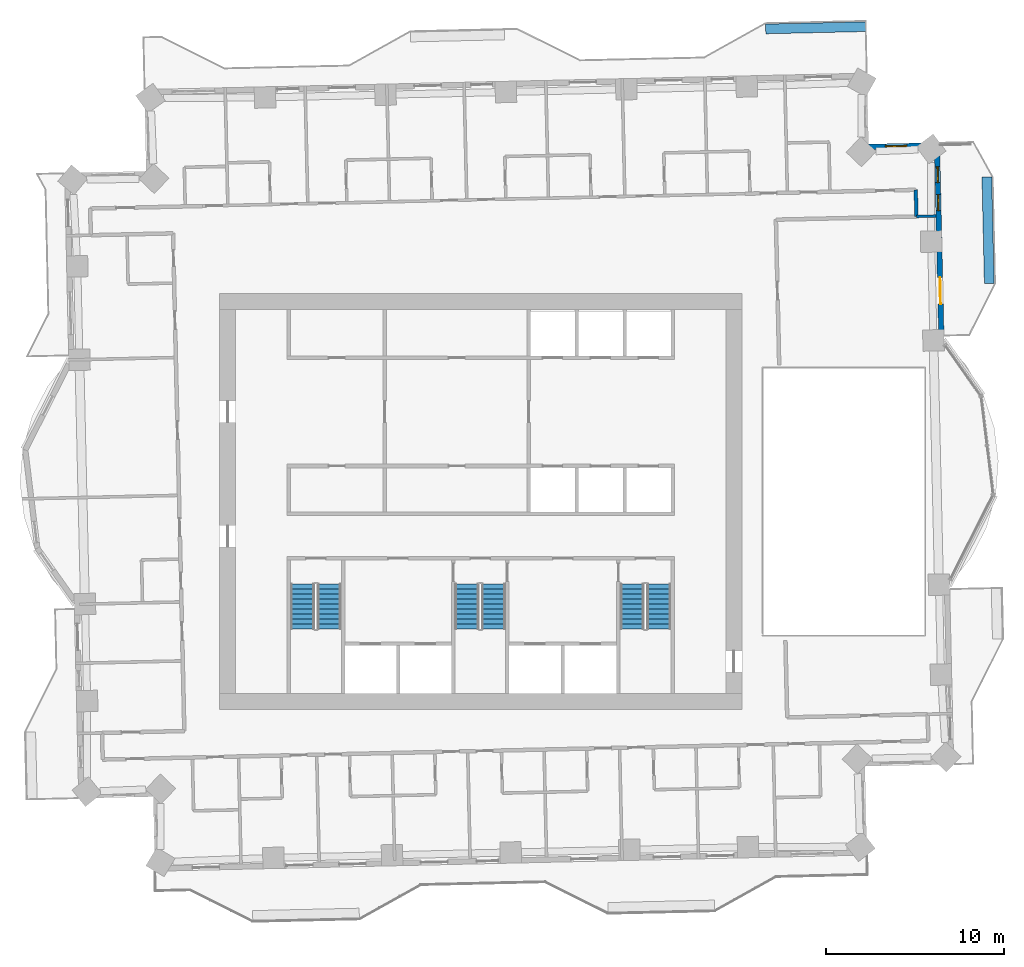
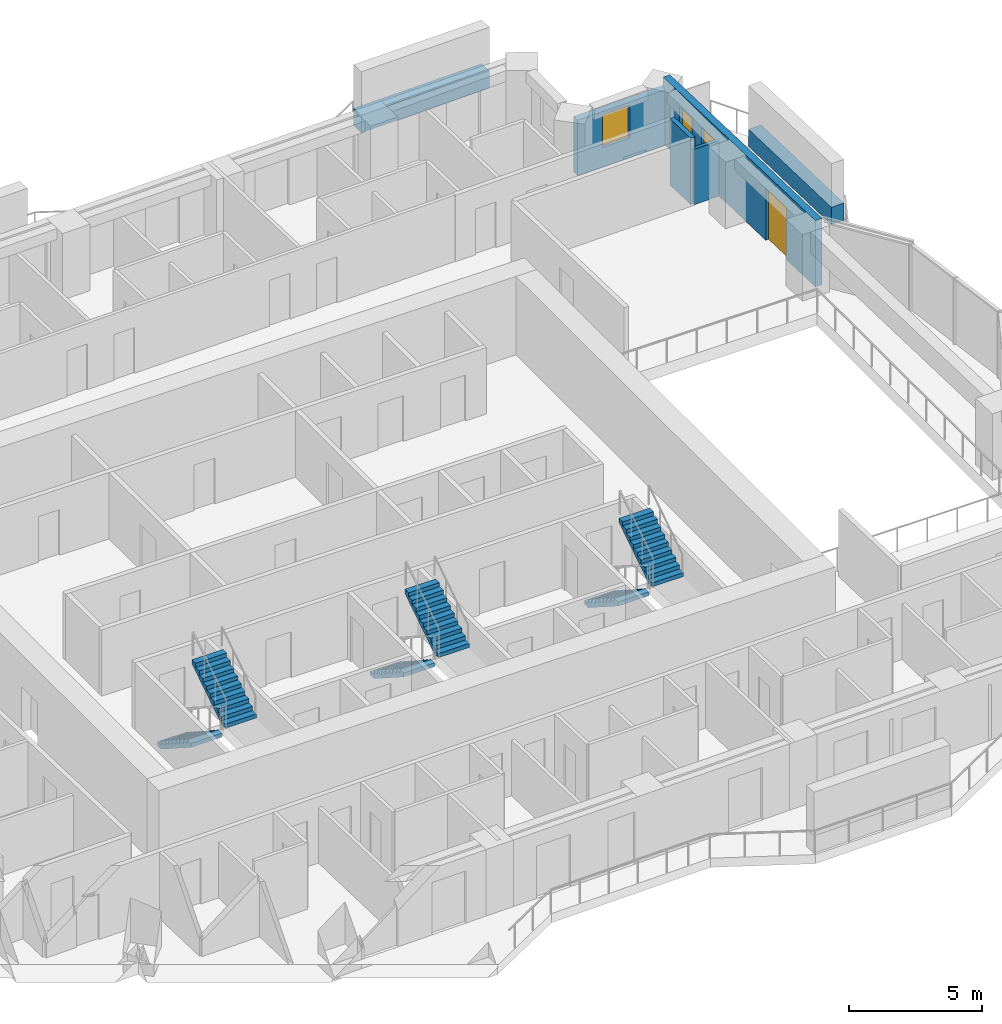
# One storey, part 12 of 16: 6 stair flights, 6 walls, 3 windows, 1 door, 4 openings, 3 elements without a shape of their own.
"""IFC4 building model written with IfcOpenShell, lengths in metres."""

from ifc_helpers import new_model, si_unit, direction, frame, frame_2d, origin, place, context, subcontext, project, spatial, polyline, rectangle, outline, extrude, material, layer, layer_set, type_object, element, fill, aggregate, save


model = new_model("IFC4")

# Units and contexts
model_context = context("Model", 3, precision=1e-05, world=origin(), true_north=direction((0.0, 1.0)))
body_context = subcontext(model_context, "Body", "Model", "MODEL_VIEW")
ifc_project = project(units=[si_unit("LENGTHUNIT", "METRE"), si_unit("AREAUNIT", "SQUARE_METRE"), si_unit("VOLUMEUNIT", "CUBIC_METRE"), si_unit("PLANEANGLEUNIT", "RADIAN"), si_unit("MASSUNIT", "GRAM", prefix="KILO")], contexts=[model_context])

# Site, building, storey
site_placement = place(None, origin())
site = spatial("IfcSite", under=ifc_project, at=site_placement, CompositionType="ELEMENT")
building_placement = place(site_placement, origin())
building = spatial("IfcBuilding", under=site, at=building_placement, Name="Mangrove Gate Tower", CompositionType="ELEMENT")
storey_placement = place(building_placement, frame((0.0, 0.0, 178.89990234375)))
storey = spatial("IfcBuildingStorey", under=building, at=storey_placement, Name="L45", CompositionType="ELEMENT", Elevation=178.89990234375)

# Wall
ifc_material_1 = material(Name="Gypsum board on steel stud, EI 60", Category="steel")
ifc_layer_1 = layer(ifc_material_1, 0.199951171875)
ifc_layer_set_1 = layer_set([ifc_layer_1], Name="Corridor wall EI 60")
wall_type_1 = type_object("IfcWallType", Name="Corridor wall EI 60", PredefinedType="PARTITIONING", material=ifc_layer_set_1)
wall_1_placement = place(storey_placement, frame((24.51904296875, 16.048095703125, 0.0), z_axis=(0.0, 0.0, 1.0), x_axis=(-0.022632637625, 0.99974384905, 0.0)))
element("IfcWall", 1, at=wall_1_placement, inside=storey, type_object=wall_type_1, Name="WALL-L45-047", PredefinedType="PARTITIONING", context=body_context, shape_type="SweptSolid", body=[
    extrude(rectangle(XDim=1.49951171875, YDim=0.199951171875, at=frame_2d((0.749755859375, 0.0))), origin(), (0.0, 0.0, 1.0), 3.050048828125),
])

# Wall, openings, door, windows
ifc_material_2 = material(Name="Limestone", Category="masonry")
ifc_layer_2 = layer(ifc_material_2, 0.0400390625, Name="Limestone cladding")
ifc_material_3 = material(Name="Ventilated air gap")
ifc_layer_3 = layer(ifc_material_3, 0.0400390625, Name="Ventilated cavity")
ifc_material_4 = material(Name="Mineral wool insulation")
ifc_layer_4 = layer(ifc_material_4, 0.06005859375, Name="Insulation")
ifc_material_5 = material(Name="Breather membrane")
ifc_layer_5 = layer(ifc_material_5, 0.001953125, Name="Breather membrane")
ifc_material_6 = material(Name="Concrete C20/25 blockwork", Category="masonry")
ifc_layer_6 = layer(ifc_material_6, 0.14990234375, Name="Blockwork backing wall")
ifc_material_7 = material(Name="Gypsum plaster")
ifc_layer_7 = layer(ifc_material_7, 0.008056640625, Name="Internal plaster")
ifc_layer_set_2 = layer_set([ifc_layer_2, ifc_layer_3, ifc_layer_4, ifc_layer_5, ifc_layer_6, ifc_layer_7], Name="External wall 300 limestone cladding")
wall_type_2 = type_object("IfcWallType", Name="External wall 300 limestone cladding", PredefinedType="SOLIDWALL", material=ifc_layer_set_2)
wall_2_placement = place(storey_placement, frame((25.928955078125, 9.02490234375, 0.0), z_axis=(0.0, 0.0, 1.0), x_axis=(-0.022667601583, 0.999743056909, 0.0)))
wall_2 = element("IfcWall", 2, at=wall_2_placement, inside=storey, type_object=wall_type_2, Name="WALL-L45-E2", PredefinedType="SOLIDWALL", context=body_context, shape_type="SweptSolid", body=[
    extrude(rectangle(XDim=11.029052734375, YDim=0.300048828125, at=frame_2d((5.5146484375, 0.0))), origin(), (0.0, 0.0, 1.0), 3.050048828125),
])
opening_1_placement = place(wall_2_placement, frame((2.0859375, 0.0, 0.0)))
opening_1 = element("IfcOpeningElement", 3, at=opening_1_placement, cuts=wall_2, Name="Opening BD1", PredefinedType="OPENING", context=body_context, shape_type="SweptSolid", body=[
    extrude(rectangle(XDim=1.5, YDim=2.39990234375, at=frame_2d((0.75, 1.199951171875))), frame((0.0, 0.159912109375, 0.0), z_axis=(0.0, -1.0, 0.0), x_axis=(1.0, 0.0, 0.0)), (0.0, 0.0, 1.0), 0.320068359375),
])
opening_2_placement = place(wall_2_placement, frame((7.35302734375, 0.0, 0.89990234375)))
opening_2 = element("IfcOpeningElement", 4, at=opening_2_placement, cuts=wall_2, Name="Opening W5", PredefinedType="OPENING", context=body_context, shape_type="SweptSolid", body=[
    extrude(rectangle(XDim=0.89990234375, YDim=1.5, at=frame_2d((0.449951171875, 0.75))), frame((0.0, 0.159912109375, 0.0), z_axis=(0.0, -1.0, 0.0), x_axis=(1.0, 0.0, 0.0)), (0.0, 0.0, 1.0), 0.320068359375),
])
opening_3_placement = place(wall_2_placement, frame((8.922119140625, 0.0, 0.89990234375)))
opening_3 = element("IfcOpeningElement", 5, at=opening_3_placement, cuts=wall_2, Name="Opening W5", PredefinedType="OPENING", context=body_context, shape_type="SweptSolid", body=[
    extrude(rectangle(XDim=0.89990234375, YDim=1.5, at=frame_2d((0.449951171875, 0.75))), frame((0.0, 0.159912109375, 0.0), z_axis=(0.0, -1.0, 0.0), x_axis=(1.0, 0.0, 0.0)), (0.0, 0.0, 1.0), 0.320068359375),
])
ifc_material_8 = material(Name="Aluminium frame with laminated clear glass", Category="aluminium")
door_type = type_object("IfcDoorType", Name="Balcony sliding door 1500x2400", OperationType="SLIDING_TO_LEFT", PredefinedType="DOOR", material=ifc_material_8)
door_placement = place(opening_1_placement, origin())
door = element("IfcDoor", 6, at=door_placement, inside=storey, type_object=door_type, Name="DOOR-L45-E2-1", OperationType="SLIDING_TO_LEFT", OverallHeight=2.39990234375, OverallWidth=1.5, PredefinedType="DOOR", context=body_context, shape_type="SweptSolid", body=[
    extrude(rectangle(XDim=1.5, YDim=2.39990234375, at=frame_2d((0.75, 1.199951171875))), frame((0.0, 0.02490234375, 0.0), z_axis=(0.0, -1.0, 0.0), x_axis=(1.0, 0.0, 0.0)), (0.0, 0.0, 1.0), 0.050048828125),
])
fill(opening_1, door)
ifc_material_9 = material(Name="Aluminium frame with double-glazed low-e glass", Category="aluminium")
window_type_1 = type_object("IfcWindowType", Name="Narrow window 900x1500", PartitioningType="SINGLE_PANEL", PredefinedType="WINDOW", material=ifc_material_9)
window_1_placement = place(opening_2_placement, origin())
window_1 = element("IfcWindow", 7, at=window_1_placement, inside=storey, type_object=window_type_1, Name="WIN-L45-E2-2", OverallHeight=1.5, OverallWidth=0.89990234375, PartitioningType="SINGLE_PANEL", PredefinedType="WINDOW", context=body_context, shape_type="SweptSolid", body=[
    extrude(rectangle(XDim=0.89990234375, YDim=1.5, at=frame_2d((0.449951171875, 0.75))), frame((0.0, 0.030029296875, 0.0), z_axis=(0.0, -1.0, 0.0), x_axis=(1.0, 0.0, 0.0)), (0.0, 0.0, 1.0), 0.06005859375),
])
fill(opening_2, window_1)
window_2_placement = place(opening_3_placement, origin())
window_2 = element("IfcWindow", 8, at=window_2_placement, inside=storey, type_object=window_type_1, Name="WIN-L45-E2-3", OverallHeight=1.5, OverallWidth=0.89990234375, PartitioningType="SINGLE_PANEL", PredefinedType="WINDOW", context=body_context, shape_type="SweptSolid", body=[
    extrude(rectangle(XDim=0.89990234375, YDim=1.5, at=frame_2d((0.449951171875, 0.75))), frame((0.0, 0.030029296875, 0.0), z_axis=(0.0, -1.0, 0.0), x_axis=(1.0, 0.0, 0.0)), (0.0, 0.0, 1.0), 0.06005859375),
])
fill(opening_3, window_2)

# Wall, opening, window
wall_3_placement = place(storey_placement, frame((25.678955078125, 20.051025390625, 0.0), z_axis=(0.0, 0.0, 1.0), x_axis=(-0.999740826251, -0.022765770952, 0.0)))
wall_3 = element("IfcWall", 9, at=wall_3_placement, inside=storey, type_object=wall_type_2, Name="WALL-L45-N3", PredefinedType="SOLIDWALL", context=body_context, shape_type="SweptSolid", body=[
    extrude(rectangle(XDim=4.0, YDim=0.300048828125, at=frame_2d((2.0, 0.0))), origin(), (0.0, 0.0, 1.0), 2.550048828125),
])
opening_4_placement = place(wall_3_placement, frame((1.699951171875, 0.0, 0.89990234375)))
opening_4 = element("IfcOpeningElement", 10, at=opening_4_placement, cuts=wall_3, Name="Opening W1", PredefinedType="OPENING", context=body_context, shape_type="SweptSolid", body=[
    extrude(rectangle(XDim=1.199951171875, YDim=1.5, at=frame_2d((0.60009765625, 0.75))), frame((0.0, 0.159912109375, 0.0), z_axis=(0.0, -1.0, 0.0), x_axis=(1.0, 0.0, 0.0)), (0.0, 0.0, 1.0), 0.320068359375),
])
ifc_material_10 = material(Name="Aluminium frame with double-glazed low-e glass", Category="aluminium")
window_type_2 = type_object("IfcWindowType", Name="Side lite 1200x1500", PartitioningType="SINGLE_PANEL", PredefinedType="WINDOW", material=ifc_material_10)
window_3_placement = place(opening_4_placement, origin())
window_3 = element("IfcWindow", 11, at=window_3_placement, inside=storey, type_object=window_type_2, Name="WIN-L45-N3-1", OverallHeight=1.5, OverallWidth=1.199951171875, PartitioningType="SINGLE_PANEL", PredefinedType="WINDOW", context=body_context, shape_type="SweptSolid", body=[
    extrude(rectangle(XDim=1.199951171875, YDim=1.5, at=frame_2d((0.60009765625, 0.75))), frame((0.0, 0.030029296875, 0.0), z_axis=(0.0, -1.0, 0.0), x_axis=(1.0, 0.0, 0.0)), (0.0, 0.0, 1.0), 0.06005859375),
])
fill(opening_4, window_3)

# Walls
ifc_material_11 = material(Name="Gypsum board on steel stud, EI 60", Category="steel")
ifc_layer_8 = layer(ifc_material_11, 0.14990234375)
ifc_layer_set_3 = layer_set([ifc_layer_8], Name="Party wall 150 EI 60")
wall_type_3 = type_object("IfcWallType", Name="Party wall 150 EI 60", PredefinedType="PARTITIONING", material=ifc_layer_set_3)
wall_4_placement = place(storey_placement, frame((24.51904296875, 16.0439453125, 0.0), z_axis=(0.0, 0.0, 1.0), x_axis=(0.999738732953, 0.022857511541, 0.0)))
element("IfcWall", 12, at=wall_4_placement, inside=storey, type_object=wall_type_3, Name="WALL-L45-045", PredefinedType="PARTITIONING", context=body_context, shape_type="SweptSolid", body=[
    extrude(rectangle(XDim=1.10009765625, YDim=0.14990234375, at=frame_2d((0.550048828125, 0.0))), origin(), (0.0, 0.0, 1.0), 2.550048828125),
])
ifc_material_12 = material(Name="Concrete C32/40", Category="concrete")
ifc_layer_9 = layer(ifc_material_12, 0.199951171875, Name="Planter trough wall")
ifc_material_13 = material(Name="Bituminous waterproofing membrane")
ifc_layer_10 = layer(ifc_material_13, 0.0048828125, Name="Waterproofing")
ifc_material_14 = material(Name="Drainage board and gravel")
ifc_layer_11 = layer(ifc_material_14, 0.044921875, Name="Drainage layer")
ifc_material_15 = material(Name="Planting soil")
ifc_layer_12 = layer(ifc_material_15, 0.300048828125, Name="Growing medium")
ifc_layer_set_4 = layer_set([ifc_layer_9, ifc_layer_10, ifc_layer_11, ifc_layer_12], Name="Planter wall 550 C32/40")
wall_type_4 = type_object("IfcWallType", Name="Planter wall 550 C32/40", PredefinedType="USERDEFINED", material=ifc_layer_set_4)
wall_5_placement = place(storey_placement, frame((28.62109375, 12.26611328125, 0.0), z_axis=(0.0, 0.0, 1.0), x_axis=(-0.022666865795, 0.999743073592, 0.0)))
element("IfcWall", 13, at=wall_5_placement, inside=storey, type_object=wall_type_4, Name="PLANTER L45 E1.1", ObjectType="PLANTER", PredefinedType="USERDEFINED", context=body_context, shape_type="SweptSolid", body=[
    extrude(rectangle(XDim=5.999267578125, YDim=0.550048828125, at=frame_2d((2.99951171875, 0.0))), origin(), (0.0, 0.0, 1.0), 0.800048828125),
])
wall_6_placement = place(storey_placement, frame((16.037109375, 26.59912109375, 0.0), z_axis=(0.0, 0.0, 1.0), x_axis=(0.999742750925, 0.022681092847, 0.0)))
element("IfcWall", 14, at=wall_6_placement, inside=storey, type_object=wall_type_4, Name="PLANTER L45 N0.1", ObjectType="PLANTER", PredefinedType="USERDEFINED", context=body_context, shape_type="SweptSolid", body=[
    extrude(rectangle(XDim=5.640380859375, YDim=0.550048828125, at=frame_2d((2.8203125, 0.0))), origin(), (0.0, 0.0, 1.0), 0.800048828125),
])

# Stair, stair flights
ifc_material_16 = material(Name="Concrete C40/50", Category="concrete")
stair_type = type_object("IfcStairType", Name="Core stair 1350", PredefinedType="HALF_TURN_STAIR", material=ifc_material_16)
stair_1_placement = place(storey_placement, origin())
stair_1 = element("IfcStair", 15, at=stair_1_placement, inside=storey, type_object=stair_type, Name="L45 Stair 1", PredefinedType="HALF_TURN_STAIR")
ifc_material_17 = material(Name="Concrete C40/50", Category="concrete")
stair_flight_type = type_object("IfcStairFlightType", Name="Core stair flight 1350", PredefinedType="STRAIGHT", material=ifc_material_17)
stair_flight_1_placement = place(storey_placement, frame((-10.02490234375, -4.64990234375, 0.0), z_axis=(0.0, 0.0, 1.0), x_axis=(0.0, -1.0, 0.0)))
stair_flight_1 = element("IfcStairFlight", 16, at=stair_flight_1_placement, type_object=stair_flight_type, Name="ST1 flight 1", NumberOfRisers=10, NumberOfTreads=9, PredefinedType="STRAIGHT", RiserHeight=0.18, TreadLength=0.28, context=body_context, shape_type="SweptSolid", body=[
    extrude(outline(polyline([(0.0, 0.0), (0.0, 0.179931640625), (0.280029296875, 0.179931640625), (0.280029296875, 0.360107421875), (0.56005859375, 0.360107421875), (0.56005859375, 0.5400390625), (0.840087890625, 0.5400390625), (0.840087890625, 0.719970703125), (1.1201171875, 0.719970703125), (1.1201171875, 0.89990234375), (1.39990234375, 0.89990234375), (1.39990234375, 1.080078125), (1.679931640625, 1.080078125), (1.679931640625, 1.260009765625), (1.9599609375, 1.260009765625), (1.9599609375, 1.43994140625), (2.239990234375, 1.43994140625), (2.239990234375, 1.6201171875), (2.52001953125, 1.6201171875), (2.52001953125, 1.800048828125), (2.52001953125, 1.44189453125), (0.277099609375, 0.0), (0.0, 0.0)])), frame((0.0, 0.675048828125, 0.0), z_axis=(0.0, -1.0, 0.0), x_axis=(1.0, 0.0, 0.0)), (0.0, 0.0, 1.0), 1.35009765625),
])
stair_flight_2_placement = place(storey_placement, frame((-8.52490234375, -7.169921875, 1.800048828125), z_axis=(0.0, 0.0, 1.0), x_axis=(0.0, 1.0, 0.0)))
stair_flight_2 = element("IfcStairFlight", 17, at=stair_flight_2_placement, type_object=stair_flight_type, Name="ST1 flight 2", NumberOfRisers=10, NumberOfTreads=9, PredefinedType="STRAIGHT", RiserHeight=0.18, TreadLength=0.28, context=body_context, shape_type="SweptSolid", body=[
    extrude(outline(polyline([(0.0, 0.0), (0.0, 0.179931640625), (0.280029296875, 0.179931640625), (0.280029296875, 0.360107421875), (0.56005859375, 0.360107421875), (0.56005859375, 0.5400390625), (0.840087890625, 0.5400390625), (0.840087890625, 0.719970703125), (1.1201171875, 0.719970703125), (1.1201171875, 0.89990234375), (1.39990234375, 0.89990234375), (1.39990234375, 1.080078125), (1.679931640625, 1.080078125), (1.679931640625, 1.260009765625), (1.9599609375, 1.260009765625), (1.9599609375, 1.43994140625), (2.239990234375, 1.43994140625), (2.239990234375, 1.6201171875), (2.52001953125, 1.6201171875), (2.52001953125, 1.800048828125), (2.52001953125, 1.44189453125), (0.277099609375, 0.0), (0.0, 0.0)])), frame((0.0, 0.675048828125, 0.0), z_axis=(0.0, -1.0, 0.0), x_axis=(1.0, 0.0, 0.0)), (0.0, 0.0, 1.0), 1.35009765625),
])
aggregate(stair_1, [stair_flight_1, stair_flight_2])

stair_2_placement = place(storey_placement, origin())
stair_2 = element("IfcStair", 18, at=stair_2_placement, inside=storey, type_object=stair_type, Name="L45 Stair 2", PredefinedType="HALF_TURN_STAIR")
stair_flight_3_placement = place(storey_placement, frame((-0.77490234375, -4.64990234375, 0.0), z_axis=(0.0, 0.0, 1.0), x_axis=(0.0, -1.0, 0.0)))
stair_flight_3 = element("IfcStairFlight", 19, at=stair_flight_3_placement, type_object=stair_flight_type, Name="ST2 flight 1", NumberOfRisers=10, NumberOfTreads=9, PredefinedType="STRAIGHT", RiserHeight=0.18, TreadLength=0.28, context=body_context, shape_type="SweptSolid", body=[
    extrude(outline(polyline([(0.0, 0.0), (0.0, 0.179931640625), (0.280029296875, 0.179931640625), (0.280029296875, 0.360107421875), (0.56005859375, 0.360107421875), (0.56005859375, 0.5400390625), (0.840087890625, 0.5400390625), (0.840087890625, 0.719970703125), (1.1201171875, 0.719970703125), (1.1201171875, 0.89990234375), (1.39990234375, 0.89990234375), (1.39990234375, 1.080078125), (1.679931640625, 1.080078125), (1.679931640625, 1.260009765625), (1.9599609375, 1.260009765625), (1.9599609375, 1.43994140625), (2.239990234375, 1.43994140625), (2.239990234375, 1.6201171875), (2.52001953125, 1.6201171875), (2.52001953125, 1.800048828125), (2.52001953125, 1.44189453125), (0.277099609375, 0.0), (0.0, 0.0)])), frame((0.0, 0.675048828125, 0.0), z_axis=(0.0, -1.0, 0.0), x_axis=(1.0, 0.0, 0.0)), (0.0, 0.0, 1.0), 1.35009765625),
])
stair_flight_4_placement = place(storey_placement, frame((0.72509765625, -7.169921875, 1.800048828125), z_axis=(0.0, 0.0, 1.0), x_axis=(0.0, 1.0, 0.0)))
stair_flight_4 = element("IfcStairFlight", 20, at=stair_flight_4_placement, type_object=stair_flight_type, Name="ST2 flight 2", NumberOfRisers=10, NumberOfTreads=9, PredefinedType="STRAIGHT", RiserHeight=0.18, TreadLength=0.28, context=body_context, shape_type="SweptSolid", body=[
    extrude(outline(polyline([(0.0, 0.0), (0.0, 0.179931640625), (0.280029296875, 0.179931640625), (0.280029296875, 0.360107421875), (0.56005859375, 0.360107421875), (0.56005859375, 0.5400390625), (0.840087890625, 0.5400390625), (0.840087890625, 0.719970703125), (1.1201171875, 0.719970703125), (1.1201171875, 0.89990234375), (1.39990234375, 0.89990234375), (1.39990234375, 1.080078125), (1.679931640625, 1.080078125), (1.679931640625, 1.260009765625), (1.9599609375, 1.260009765625), (1.9599609375, 1.43994140625), (2.239990234375, 1.43994140625), (2.239990234375, 1.6201171875), (2.52001953125, 1.6201171875), (2.52001953125, 1.800048828125), (2.52001953125, 1.44189453125), (0.277099609375, 0.0), (0.0, 0.0)])), frame((0.0, 0.675048828125, 0.0), z_axis=(0.0, -1.0, 0.0), x_axis=(1.0, 0.0, 0.0)), (0.0, 0.0, 1.0), 1.35009765625),
])
aggregate(stair_2, [stair_flight_3, stair_flight_4])

stair_3_placement = place(storey_placement, origin())
stair_3 = element("IfcStair", 21, at=stair_3_placement, inside=storey, type_object=stair_type, Name="L45 Stair 3", PredefinedType="HALF_TURN_STAIR")
stair_flight_5_placement = place(storey_placement, frame((8.52490234375, -4.64990234375, 0.0), z_axis=(0.0, 0.0, 1.0), x_axis=(0.0, -1.0, 0.0)))
stair_flight_5 = element("IfcStairFlight", 22, at=stair_flight_5_placement, type_object=stair_flight_type, Name="ST3 flight 1", NumberOfRisers=10, NumberOfTreads=9, PredefinedType="STRAIGHT", RiserHeight=0.18, TreadLength=0.28, context=body_context, shape_type="SweptSolid", body=[
    extrude(outline(polyline([(0.0, 0.0), (0.0, 0.179931640625), (0.280029296875, 0.179931640625), (0.280029296875, 0.360107421875), (0.56005859375, 0.360107421875), (0.56005859375, 0.5400390625), (0.840087890625, 0.5400390625), (0.840087890625, 0.719970703125), (1.1201171875, 0.719970703125), (1.1201171875, 0.89990234375), (1.39990234375, 0.89990234375), (1.39990234375, 1.080078125), (1.679931640625, 1.080078125), (1.679931640625, 1.260009765625), (1.9599609375, 1.260009765625), (1.9599609375, 1.43994140625), (2.239990234375, 1.43994140625), (2.239990234375, 1.6201171875), (2.52001953125, 1.6201171875), (2.52001953125, 1.800048828125), (2.52001953125, 1.44189453125), (0.277099609375, 0.0), (0.0, 0.0)])), frame((0.0, 0.675048828125, 0.0), z_axis=(0.0, -1.0, 0.0), x_axis=(1.0, 0.0, 0.0)), (0.0, 0.0, 1.0), 1.35009765625),
])
stair_flight_6_placement = place(storey_placement, frame((10.02490234375, -7.169921875, 1.800048828125), z_axis=(0.0, 0.0, 1.0), x_axis=(0.0, 1.0, 0.0)))
stair_flight_6 = element("IfcStairFlight", 23, at=stair_flight_6_placement, type_object=stair_flight_type, Name="ST3 flight 2", NumberOfRisers=10, NumberOfTreads=9, PredefinedType="STRAIGHT", RiserHeight=0.18, TreadLength=0.28, context=body_context, shape_type="SweptSolid", body=[
    extrude(outline(polyline([(0.0, 0.0), (0.0, 0.179931640625), (0.280029296875, 0.179931640625), (0.280029296875, 0.360107421875), (0.56005859375, 0.360107421875), (0.56005859375, 0.5400390625), (0.840087890625, 0.5400390625), (0.840087890625, 0.719970703125), (1.1201171875, 0.719970703125), (1.1201171875, 0.89990234375), (1.39990234375, 0.89990234375), (1.39990234375, 1.080078125), (1.679931640625, 1.080078125), (1.679931640625, 1.260009765625), (1.9599609375, 1.260009765625), (1.9599609375, 1.43994140625), (2.239990234375, 1.43994140625), (2.239990234375, 1.6201171875), (2.52001953125, 1.6201171875), (2.52001953125, 1.800048828125), (2.52001953125, 1.44189453125), (0.277099609375, 0.0), (0.0, 0.0)])), frame((0.0, 0.675048828125, 0.0), z_axis=(0.0, -1.0, 0.0), x_axis=(1.0, 0.0, 0.0)), (0.0, 0.0, 1.0), 1.35009765625),
])
aggregate(stair_3, [stair_flight_5, stair_flight_6])

save(model, "model.ifc")
